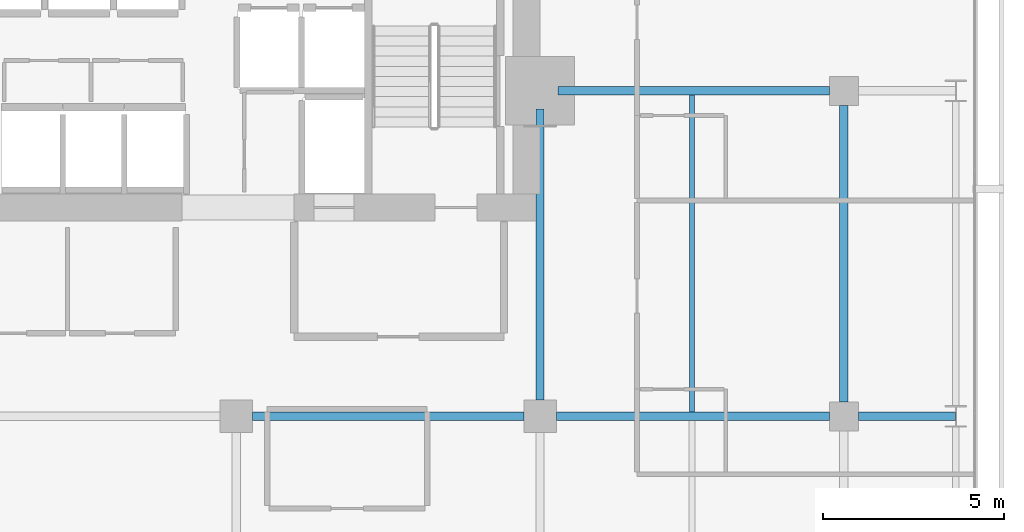
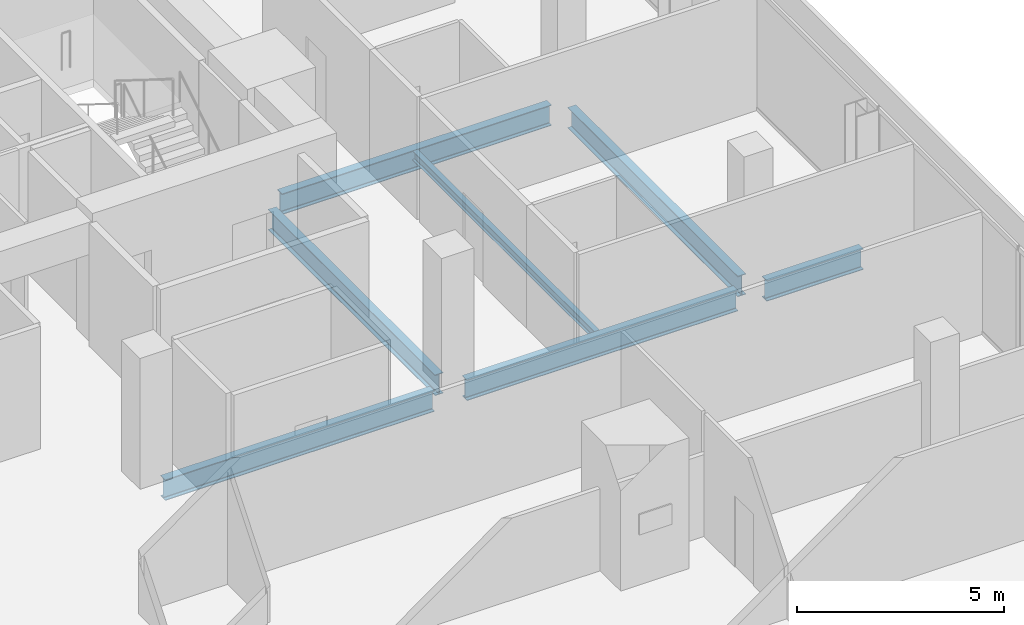
# One storey, part 23 of 34: 7 beams.
"""IFC4 building model written with IfcOpenShell, lengths in metres."""

from ifc_helpers import new_model, si_unit, direction, frame, origin, origin_2d, place, context, subcontext, project, spatial, i_section, extrude, material, material_profile, profile_set, type_object, element, save


model = new_model("IFC4")

# Units and contexts
model_context = context("Model", 3, precision=1e-05, world=origin(), true_north=direction((0.0, 1.0)))
body_context = subcontext(model_context, "Body", "Model", "MODEL_VIEW")
ifc_project = project(units=[si_unit("LENGTHUNIT", "METRE"), si_unit("AREAUNIT", "SQUARE_METRE"), si_unit("VOLUMEUNIT", "CUBIC_METRE"), si_unit("PLANEANGLEUNIT", "RADIAN"), si_unit("MASSUNIT", "GRAM", prefix="KILO")], contexts=[model_context])

# Site, building, storey
site_placement = place(None, origin())
site = spatial("IfcSite", under=ifc_project, at=site_placement, CompositionType="ELEMENT")
building_placement = place(site_placement, origin())
building = spatial("IfcBuilding", under=site, at=building_placement, Name="Maruvema Waterfront Hotel and Observation Tower", CompositionType="ELEMENT")
storey_placement = place(building_placement, frame((0.0, 0.0, 135.10009765625)))
storey = spatial("IfcBuildingStorey", under=building, at=storey_placement, Name="L32", CompositionType="ELEMENT", Elevation=135.10009765625)

# Beams
ifc_material_1 = material(Name="Steel ASTM A572 Grade 50", Category="steel")
ifc_material_profile_1 = material_profile(ifc_material_1, i_section(OverallWidth=0.22900390625, OverallDepth=0.612060546875, WebThickness=0.011962890625, FlangeThickness=0.01953125, FilletRadius=0.01806640625, at=origin_2d()), Name="W610x125.0")
ifc_profile_set_1 = profile_set([ifc_material_profile_1], Name="Steel ASTM A572 Grade 50")
beam_type_1 = type_object("IfcBeamType", Name="Primary Floor Girder W610x125.0", PredefinedType="BEAM", material=ifc_profile_set_1)
beam_1_placement = place(storey_placement, frame((42.449951171875, 36.0, -0.546142578125), z_axis=(1.0, 0.0, 0.0), x_axis=(0.0, 1.0, 0.0)))
element("IfcBeam", 1, at=beam_1_placement, inside=storey, type_object=beam_type_1, Name="L32 Floor Girder EW-27", PredefinedType="BEAM", context=body_context, shape_type="SweptSolid", body=[
    extrude(i_section(OverallWidth=0.22900390625, OverallDepth=0.612060546875, WebThickness=0.011962890625, FlangeThickness=0.01953125, FilletRadius=0.01806640625, at=origin_2d()), origin(), (0.0, 0.0, 1.0), 7.5),
])
beam_2_placement = place(storey_placement, frame((50.85009765625, 36.0, -0.546142578125), z_axis=(1.0, 0.0, 0.0), x_axis=(0.0, 1.0, 0.0)))
element("IfcBeam", 2, at=beam_2_placement, inside=storey, type_object=beam_type_1, Name="L32 Floor Girder EW-28", PredefinedType="BEAM", context=body_context, shape_type="SweptSolid", body=[
    extrude(i_section(OverallWidth=0.22900390625, OverallDepth=0.612060546875, WebThickness=0.011962890625, FlangeThickness=0.01953125, FilletRadius=0.01806640625, at=origin_2d()), origin(), (0.0, 0.0, 1.0), 7.5498046875),
])
beam_3_placement = place(storey_placement, frame((59.199951171875, 36.0, -0.546142578125), z_axis=(1.0, 0.0, 0.0), x_axis=(0.0, 1.0, 0.0)))
element("IfcBeam", 3, at=beam_3_placement, inside=storey, type_object=beam_type_1, Name="L32 Floor Girder EW-29", PredefinedType="BEAM", context=body_context, shape_type="SweptSolid", body=[
    extrude(i_section(OverallWidth=0.22900390625, OverallDepth=0.612060546875, WebThickness=0.011962890625, FlangeThickness=0.01953125, FilletRadius=0.01806640625, at=origin_2d()), origin(), (0.0, 0.0, 1.0), 2.6875),
])
beam_4_placement = place(storey_placement, frame((50.89990234375, 45.0, -0.546142578125), z_axis=(1.0, 0.0, 0.0), x_axis=(0.0, 1.0, 0.0)))
element("IfcBeam", 4, at=beam_4_placement, inside=storey, type_object=beam_type_1, Name="L32 Floor Girder EW-32", PredefinedType="BEAM", context=body_context, shape_type="SweptSolid", body=[
    extrude(i_section(OverallWidth=0.22900390625, OverallDepth=0.612060546875, WebThickness=0.011962890625, FlangeThickness=0.01953125, FilletRadius=0.01806640625, at=origin_2d()), origin(), (0.0, 0.0, 1.0), 7.5),
])
beam_5_placement = place(storey_placement, frame((50.39990234375, 36.449951171875, -0.546142578125), z_axis=(0.0, 1.0, 0.0), x_axis=(-1.0, 0.0, 0.0)))
element("IfcBeam", 5, at=beam_5_placement, inside=storey, type_object=beam_type_1, Name="L32 Floor Girder NS-24", PredefinedType="BEAM", context=body_context, shape_type="SweptSolid", body=[
    extrude(i_section(OverallWidth=0.22900390625, OverallDepth=0.612060546875, WebThickness=0.011962890625, FlangeThickness=0.01953125, FilletRadius=0.01806640625, at=origin_2d()), origin(), (0.0, 0.0, 1.0), 8.050048828125),
])
beam_6_placement = place(storey_placement, frame((58.800048828125, 36.39990234375, -0.546142578125), z_axis=(0.0, 1.0, 0.0), x_axis=(-1.0, 0.0, 0.0)))
element("IfcBeam", 6, at=beam_6_placement, inside=storey, type_object=beam_type_1, Name="L32 Floor Girder NS-28", PredefinedType="BEAM", context=body_context, shape_type="SweptSolid", body=[
    extrude(i_section(OverallWidth=0.22900390625, OverallDepth=0.612060546875, WebThickness=0.011962890625, FlangeThickness=0.01953125, FilletRadius=0.01806640625, at=origin_2d()), origin(), (0.0, 0.0, 1.0), 8.2001953125),
])
ifc_material_2 = material(Name="Steel ASTM A572 Grade 50", Category="steel")
ifc_material_profile_2 = material_profile(ifc_material_2, i_section(OverallWidth=0.14794921875, OverallDepth=0.26611328125, WebThickness=0.007568359375, FlangeThickness=0.012939453125, FilletRadius=0.012939453125, at=origin_2d()), Name="W250x44.8")
ifc_profile_set_2 = profile_set([ifc_material_profile_2], Name="Steel ASTM A572 Grade 50")
beam_type_2 = type_object("IfcBeamType", Name="Secondary Floor Joist W250x44.8", PredefinedType="JOIST", material=ifc_profile_set_2)
beam_7_placement = place(storey_placement, frame((54.60009765625, 36.114501953125, -0.373046875), z_axis=(0.0, 1.0, 0.0), x_axis=(-1.0, 0.0, 0.0)))
element("IfcBeam", 7, at=beam_7_placement, inside=storey, type_object=beam_type_2, Name="L32 Secondary Floor Joist JS-14", PredefinedType="JOIST", context=body_context, shape_type="SweptSolid", body=[
    extrude(i_section(OverallWidth=0.14794921875, OverallDepth=0.26611328125, WebThickness=0.007568359375, FlangeThickness=0.012939453125, FilletRadius=0.012939453125, at=origin_2d()), origin(), (0.0, 0.0, 1.0), 8.77099609375),
])

save(model, "model.ifc")
